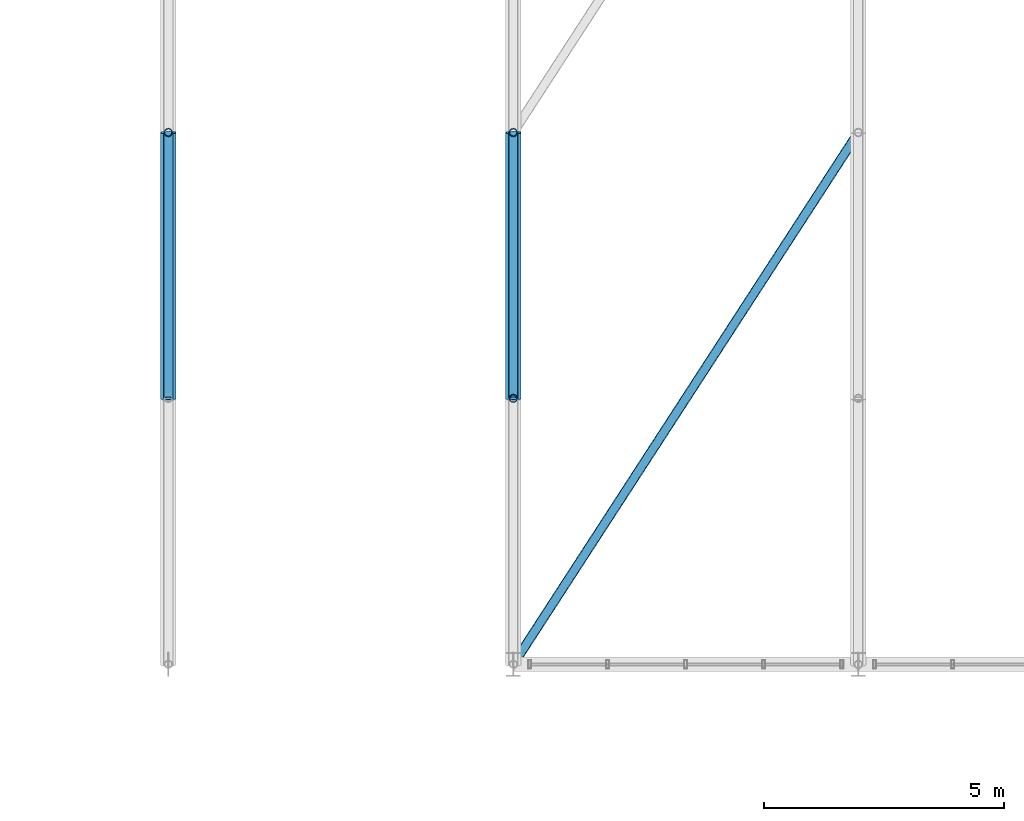
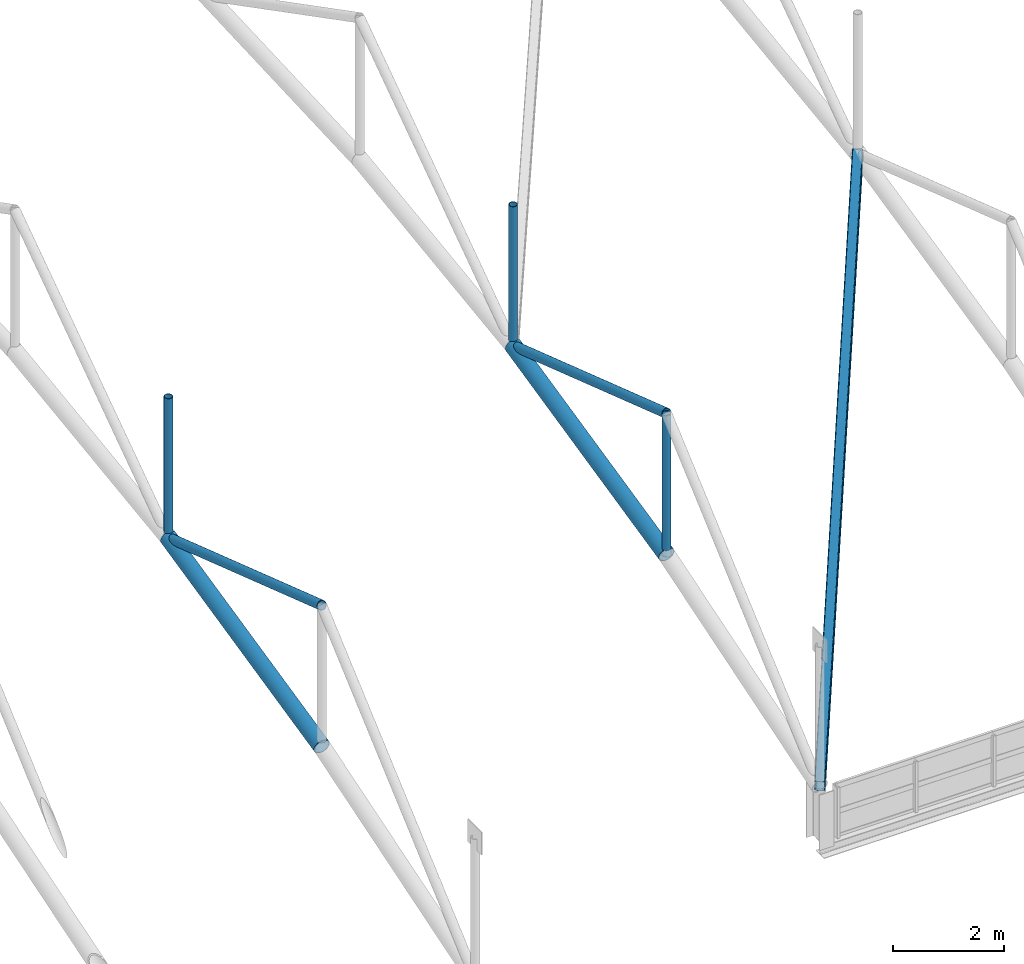
# One storey, part 39 of 153: 8 members.
"""IFC4 building model written with IfcOpenShell, lengths in metres."""

from ifc_helpers import new_model, si_unit, derived_unit, direction, frame, origin, origin_2d, place, context, subcontext, project, spatial, hollow_rectangle, hollow_circle, extrude, material, material_profile, profile_set, type_object, element, save


model = new_model("IFC4")

# Units and contexts
model_context = context("Model", 3, precision=1e-05, world=origin(), true_north=direction((0.0, 1.0)))
body_context = subcontext(model_context, "Body", "Model", "MODEL_VIEW")
ifc_project = project(units=[si_unit("LENGTHUNIT", "METRE"), si_unit("AREAUNIT", "SQUARE_METRE"), si_unit("VOLUMEUNIT", "CUBIC_METRE"), si_unit("PLANEANGLEUNIT", "RADIAN"), si_unit("MASSUNIT", "GRAM", prefix="KILO"), derived_unit("THERMALTRANSMITTANCEUNIT", [(si_unit("POWERUNIT", "WATT"), 1), (si_unit("LENGTHUNIT", "METRE"), -2), (si_unit("THERMODYNAMICTEMPERATUREUNIT", "KELVIN"), -1)])], contexts=[model_context])

# Site, building, storey
site_placement = place(None, origin())
site = spatial("IfcSite", under=ifc_project, at=site_placement, CompositionType="ELEMENT")
building_placement = place(site_placement, origin())
building = spatial("IfcBuilding", under=site, at=building_placement, Name="Keldorne Ridge Multi-Sports Centre", CompositionType="ELEMENT")
storey_placement = place(building_placement, frame((0.0, 0.0, 9.60009765625)))
storey = spatial("IfcBuildingStorey", under=building, at=storey_placement, Name="L02", CompositionType="ELEMENT", Elevation=9.60009765625)

# Members
ifc_material = material(Name="Steel S355", Category="steel")
ifc_material_profile_1 = material_profile(ifc_material, hollow_circle(Radius=0.161865234375, WallThickness=0.01611328125, at=origin_2d()), Name="CHS 323.9x16")
ifc_profile_set_1 = profile_set([ifc_material_profile_1], Name="Steel S355")
member_type_1 = type_object("IfcMemberType", Name="MEM-TC-02", PredefinedType="CHORD", material=ifc_profile_set_1)
for number, where, z_axis, x_axis, name in (
    (1, (42.0, 15.14990234375, 1.25), (0.0, 0.975563092904, 0.219719484259), (-1.0, 0.0, 0.0), "Main Hall ROOF TRUSS AT-06 bottom chord 2"),
    (2, (49.199951171875, 15.14990234375, 2.969970703125), (0.0, 0.975563092904, 0.219719484259), (-1.0, 0.0, 0.0), "Main Hall ROOF TRUSS AT-07 bottom chord 2"),
):
    element("IfcMember", number, at=place(storey_placement, frame(where, z_axis=z_axis, x_axis=x_axis)), inside=storey, type_object=member_type_1, Name=name, PredefinedType="CHORD", context=body_context, shape_type="SweptSolid", body=[
        extrude(hollow_circle(Radius=0.161865234375, WallThickness=0.01611328125, at=origin_2d()), origin(), (0.0, 0.0, 1.0), 5.68896484375),
    ])
ifc_material_profile_2 = material_profile(ifc_material, hollow_circle(Radius=0.096923828125, WallThickness=0.010009765625, at=origin_2d()), Name="CHS 193.7x10")
ifc_profile_set_2 = profile_set([ifc_material_profile_2], Name="Steel S355")
member_type_2 = type_object("IfcMemberType", Name="MEM-TD-01", PredefinedType="BRACE", material=ifc_profile_set_2)
for number, where, z_axis, x_axis, name in (
    (3, (42.0, 15.14990234375, 4.369873046875), (0.0, 0.947661237718, -0.319277588514), (-1.0, 0.0, 0.0), "Main Hall ROOF TRUSS AT-06 diagonal 2"),
    (4, (49.199951171875, 15.14990234375, 6.08984375), (0.0, 0.947661237718, -0.319277588514), (-1.0, 0.0, 0.0), "Main Hall ROOF TRUSS AT-07 diagonal 2"),
):
    element("IfcMember", number, at=place(storey_placement, frame(where, z_axis=z_axis, x_axis=x_axis)), inside=storey, type_object=member_type_2, Name=name, PredefinedType="BRACE", context=body_context, shape_type="SweptSolid", body=[
        extrude(hollow_circle(Radius=0.096923828125, WallThickness=0.010009765625, at=origin_2d()), origin(), (0.0, 0.0, 1.0), 5.856689453125),
    ])
ifc_material_profile_3 = material_profile(ifc_material, hollow_circle(Radius=0.084228515625, WallThickness=0.010009765625, at=origin_2d()), Name="CHS 168.3x10")
ifc_profile_set_3 = profile_set([ifc_material_profile_3], Name="Steel S355")
member_type_3 = type_object("IfcMemberType", Name="MEM-TV-01", PredefinedType="STRUT", material=ifc_profile_set_3)
for number, where, z_axis, x_axis, name in (
    (5, (42.0, 20.699951171875, 2.5), (0.0, 0.0, 1.0), (1.0, 0.0, 0.0), "Main Hall ROOF TRUSS AT-06 vertical 3"),
    (6, (49.199951171875, 15.14990234375, 2.969970703125), (0.0, 0.0, 1.0), (1.0, 0.0, 0.0), "Main Hall ROOF TRUSS AT-07 vertical 2"),
    (7, (49.199951171875, 20.699951171875, 4.219970703125), (0.0, 0.0, 1.0), (1.0, 0.0, 0.0), "Main Hall ROOF TRUSS AT-07 vertical 3"),
):
    element("IfcMember", number, at=place(storey_placement, frame(where, z_axis=z_axis, x_axis=x_axis)), inside=storey, type_object=member_type_3, Name=name, PredefinedType="STRUT", context=body_context, shape_type="SweptSolid", body=[
        extrude(hollow_circle(Radius=0.084228515625, WallThickness=0.010009765625, at=origin_2d()), origin(), (0.0, 0.0, 1.0), 3.119873046875),
    ])
ifc_material_profile_4 = material_profile(ifc_material, hollow_rectangle(XDim=0.199951171875, YDim=0.300048828125, WallThickness=0.012451171875, InnerFilletRadius=0.012451171875, OuterFilletRadius=0.02490234375, at=origin_2d()), Name="RHS 300x200x12.5")
ifc_profile_set_4 = profile_set([ifc_material_profile_4], Name="Steel S355")
member_type_4 = type_object("IfcMemberType", Name="MEM-WB-01", PredefinedType="BRACE", material=ifc_profile_set_4)
member_placement = place(storey_placement, frame((49.199951171875, 9.60009765625, 1.219970703125), z_axis=(0.512553744447, 0.790181953521, 0.336007647804), x_axis=(-0.838959693152, 0.544193562317, 0.0)))
element("IfcMember", 8, at=member_placement, inside=storey, type_object=member_type_4, Name="Main Hall wind girder brace 7.1", PredefinedType="BRACE", context=body_context, shape_type="SweptSolid", body=[
    extrude(hollow_rectangle(XDim=0.199951171875, YDim=0.300048828125, WallThickness=0.012451171875, InnerFilletRadius=0.012451171875, OuterFilletRadius=0.02490234375, at=origin_2d()), origin(), (0.0, 0.0, 1.0), 14.047119140625),
])

save(model, "model.ifc")
